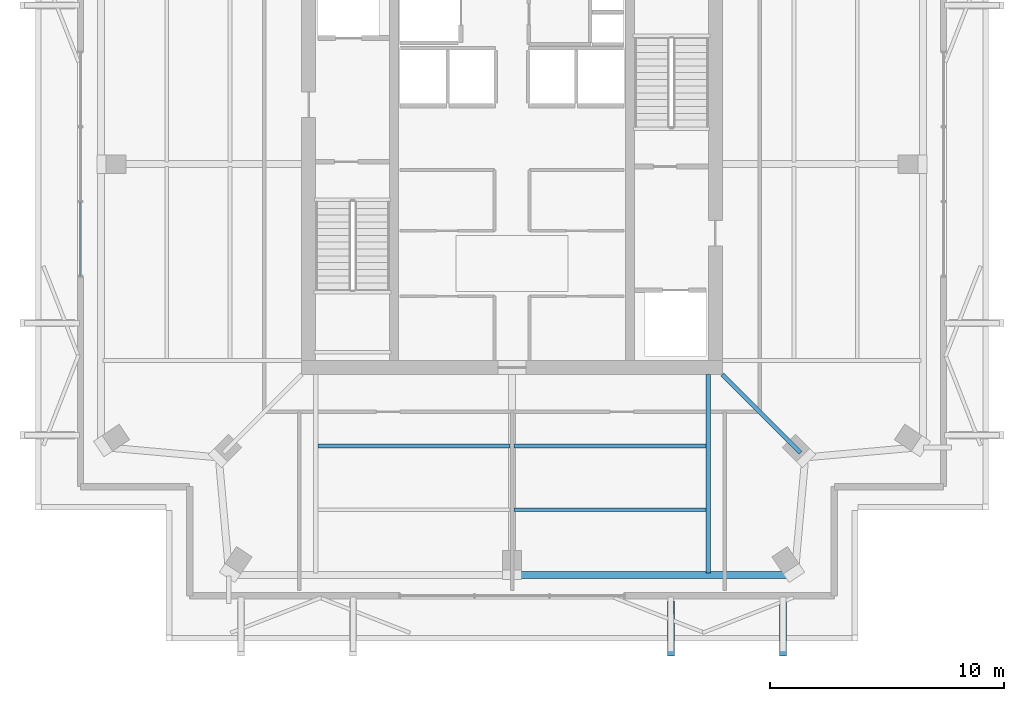
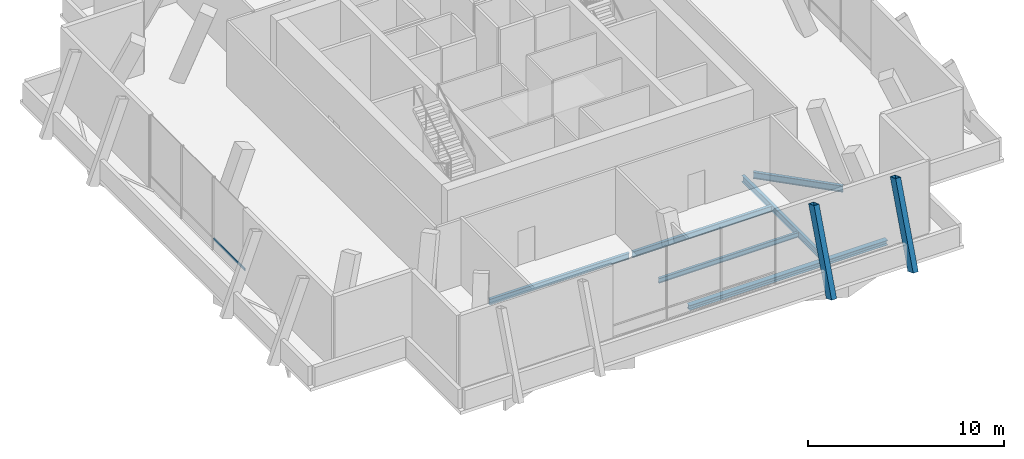
# One storey, part 6 of 18: 6 beams, 3 members, 1 element without a shape of its own.
"""IFC4 building model written with IfcOpenShell, lengths in metres."""

from ifc_helpers import new_model, si_unit, direction, frame, origin, origin_2d, place, context, subcontext, project, spatial, hollow_rectangle, i_section, extrude, material, layer, layer_set, material_profile, profile_set, type_object, element, aggregate, save


model = new_model("IFC4")

# Units and contexts
model_context = context("Model", 3, precision=1e-05, world=origin(), true_north=direction((0.0, 1.0)))
body_context = subcontext(model_context, "Body", "Model", "MODEL_VIEW")
ifc_project = project(units=[si_unit("LENGTHUNIT", "METRE"), si_unit("AREAUNIT", "SQUARE_METRE"), si_unit("VOLUMEUNIT", "CUBIC_METRE"), si_unit("PLANEANGLEUNIT", "RADIAN"), si_unit("MASSUNIT", "GRAM", prefix="KILO")], contexts=[model_context])

# Site, building, storey
site_placement = place(None, origin())
site = spatial("IfcSite", under=ifc_project, at=site_placement, CompositionType="ELEMENT")
building_placement = place(site_placement, origin())
building = spatial("IfcBuilding", under=site, at=building_placement, Name="Belovzor Exchange Tower", CompositionType="ELEMENT")
storey_placement = place(building_placement, frame((0.0, 0.0, 369.0)))
storey = spatial("IfcBuildingStorey", under=building, at=storey_placement, Name="L92", CompositionType="ELEMENT", Elevation=369.0)

# Beams
ifc_material_1 = material(Name="Steel S355", Category="steel")
ifc_material_profile_1 = material_profile(ifc_material_1, i_section(OverallWidth=0.300048828125, OverallDepth=0.300048828125, WebThickness=0.010986328125, FlangeThickness=0.01904296875, at=origin_2d()))
ifc_profile_set_1 = profile_set([ifc_material_profile_1], Name="Steel S355")
beam_type_1 = type_object("IfcBeamType", Name="Crown Plant Primary Beam HEB 300", PredefinedType="BEAM", material=ifc_profile_set_1)
beam_1_placement = place(storey_placement, frame((29.02001953125, 11.219970703125, -0.449951171875), z_axis=(1.0, 0.0, 0.0), x_axis=(0.0, 1.0, 0.0)))
element("IfcBeam", 1, at=beam_1_placement, inside=storey, type_object=beam_type_1, Name="FG-CR Crown Plant Primary Beam HEB 300", PredefinedType="BEAM", context=body_context, shape_type="SweptSolid", body=[
    extrude(i_section(OverallWidth=0.300048828125, OverallDepth=0.300048828125, WebThickness=0.010986328125, FlangeThickness=0.01904296875, at=origin_2d()), origin(), (0.0, 0.0, 1.0), 11.659912109375),
])
ifc_material_2 = material(Name="Steel S355", Category="steel")
ifc_material_profile_2 = material_profile(ifc_material_2, i_section(OverallWidth=0.169921875, OverallDepth=0.360107421875, WebThickness=0.008056640625, FlangeThickness=0.0126953125, at=origin_2d()))
ifc_profile_set_2 = profile_set([ifc_material_profile_2], Name="Steel S355")
beam_type_2 = type_object("IfcBeamType", Name="Secondary Infill Floor Joist IPE 360", PredefinedType="BEAM", material=ifc_profile_set_2)
beam_2_placement = place(storey_placement, frame((20.489990234375, 16.738037109375, -0.47998046875), z_axis=(1.0, 0.0, 0.0), x_axis=(0.0, 1.0, 0.0)))
element("IfcBeam", 2, at=beam_2_placement, inside=storey, type_object=beam_type_2, Name="FJ-360 Secondary Infill Floor Joist IPE 360", PredefinedType="BEAM", context=body_context, shape_type="SweptSolid", body=[
    extrude(i_section(OverallWidth=0.169921875, OverallDepth=0.360107421875, WebThickness=0.008056640625, FlangeThickness=0.0126953125, at=origin_2d()), origin(), (0.0, 0.0, 1.0), 8.219970703125),
])
beam_3_placement = place(storey_placement, frame((28.889892578125, 16.738037109375, -0.47998046875), z_axis=(1.0, 0.0, 0.0), x_axis=(0.0, 1.0, 0.0)))
element("IfcBeam", 3, at=beam_3_placement, inside=storey, type_object=beam_type_2, Name="FJ-360 Secondary Infill Floor Joist IPE 360", PredefinedType="BEAM", context=body_context, shape_type="SweptSolid", body=[
    extrude(i_section(OverallWidth=0.169921875, OverallDepth=0.360107421875, WebThickness=0.008056640625, FlangeThickness=0.0126953125, at=origin_2d()), origin(), (0.0, 0.0, 1.0), 8.22021484375),
])
ifc_material_3 = material(Name="Steel S355", Category="steel")
ifc_material_profile_3 = material_profile(ifc_material_3, i_section(OverallWidth=0.14990234375, OverallDepth=0.300048828125, WebThickness=0.007080078125, FlangeThickness=0.0107421875, at=origin_2d()))
ifc_profile_set_3 = profile_set([ifc_material_profile_3], Name="Steel S355")
beam_type_3 = type_object("IfcBeamType", Name="Secondary Trim Floor Joist IPE 300", PredefinedType="BEAM", material=ifc_profile_set_3)
beam_4_placement = place(storey_placement, frame((28.889892578125, 14.01708984375, -0.449951171875), z_axis=(1.0, 0.0, 0.0), x_axis=(0.0, 1.0, 0.0)))
element("IfcBeam", 4, at=beam_4_placement, inside=storey, type_object=beam_type_3, Name="FJ-300 Secondary Trim Floor Joist IPE 300", PredefinedType="BEAM", context=body_context, shape_type="SweptSolid", body=[
    extrude(i_section(OverallWidth=0.14990234375, OverallDepth=0.300048828125, WebThickness=0.007080078125, FlangeThickness=0.0107421875, at=origin_2d()), origin(), (0.0, 0.0, 1.0), 8.22021484375),
])

# Curtain wall, member
ifc_material_4 = material(Name="Anodised Aluminium Framing", Category="aluminium")
ifc_layer = layer(ifc_material_4, 0.169921875)
ifc_layer_set = layer_set([ifc_layer], Name="Anodised Aluminium Framing")
curtain_wall_type = type_object("IfcCurtainWallType", Name="Stepped Crown Faceted Lantern Curtain Wall", PredefinedType="NOTDEFINED", material=ifc_layer_set)
curtain_wall_placement = place(storey_placement, origin())
curtain_wall = element("IfcCurtainWall", 5, at=curtain_wall_placement, inside=storey, type_object=curtain_wall_type, Name="CW6 Stepped Crown Faceted Lantern Curtain Wall L92", PredefinedType="NOTDEFINED")
ifc_material_5 = material(Name="Steel S355", Category="steel")
ifc_material_profile_4 = material_profile(ifc_material_5, hollow_rectangle(XDim=0.06005859375, YDim=0.14990234375, WallThickness=0.00390625, at=origin_2d()))
ifc_profile_set_4 = profile_set([ifc_material_profile_4], Name="Steel S355")
member_type_1 = type_object("IfcMemberType", Name="Thermally Broken Curtain Wall Transom 150x60", PredefinedType="USERDEFINED", material=ifc_profile_set_4)
member_placement = place(storey_placement, frame((10.330078125, 24.008056640625, 0.64990234375), z_axis=(0.0, 1.0, 0.0), x_axis=(-1.0, 0.0, 0.0)))
member = element("IfcMember", 6, at=member_placement, type_object=member_type_1, Name="CW-T150 Curtain Wall Transom 1", ObjectType="TRANSOM", PredefinedType="USERDEFINED", context=body_context, shape_type="SweptSolid", body=[
    extrude(hollow_rectangle(XDim=0.06005859375, YDim=0.14990234375, WallThickness=0.00390625, at=origin_2d()), origin(), (0.0, 0.0, 1.0), 3.183837890625),
])
aggregate(curtain_wall, [member])

# Members
ifc_material_6 = material(Name="Extruded Architectural Terracotta on Steel S355 Carrier", Category="masonry")
ifc_material_profile_5 = material_profile(ifc_material_6, hollow_rectangle(XDim=0.300048828125, YDim=0.60009765625, WallThickness=0.01611328125, at=origin_2d()))
ifc_profile_set_5 = profile_set([ifc_material_profile_5], Name="Extruded Architectural Terracotta on Steel S355 Carrier")
member_type_2 = type_object("IfcMemberType", Name="Upper Crown Terracotta Fin Assembly 550", PredefinedType="USERDEFINED", material=ifc_profile_set_5)
for number, where, z_axis, x_axis, name in (
    (7, (35.60009765625, 8.02490234375, -0.300048828125), (0.0, 0.351128660605, 0.936327220421), (-1.0, 0.0, 0.0), "FIN-TC055 Terracotta Facade Fin L92 S3"),
    (8, (40.39990234375, 8.02490234375, -0.300048828125), (0.0, 0.351128660605, 0.936327220421), (-1.0, 0.0, 0.0), "FIN-TC055 Terracotta Facade Fin L92 S4"),
):
    element("IfcMember", number, at=place(storey_placement, frame(where, z_axis=z_axis, x_axis=x_axis)), inside=storey, type_object=member_type_2, Name=name, ObjectType="FIN", PredefinedType="USERDEFINED", context=body_context, shape_type="SweptSolid", body=[
        extrude(hollow_rectangle(XDim=0.300048828125, YDim=0.60009765625, WallThickness=0.01611328125, at=origin_2d()), origin(), (0.0, 0.0, 1.0), 5.12646484375),
    ])

# Beams
ifc_material_7 = material(Name="Steel S355", Category="steel")
ifc_material_profile_6 = material_profile(ifc_material_7, i_section(OverallWidth=0.179931640625, OverallDepth=0.39990234375, WebThickness=0.008544921875, FlangeThickness=0.013427734375, at=origin_2d()))
ifc_profile_set_6 = profile_set([ifc_material_profile_6], Name="Steel S355")
beam_type_4 = type_object("IfcBeamType", Name="Zone 5-6 Radial Composite Floor Beam IPE 400", PredefinedType="BEAM", material=ifc_profile_set_6)
beam_5_placement = place(storey_placement, frame((37.199951171875, 19.800048828125, -0.5), z_axis=(0.0, -1.0, 0.0), x_axis=(1.0, 0.0, 0.0)))
element("IfcBeam", 9, at=beam_5_placement, inside=storey, type_object=beam_type_4, Name="FB-400 Zone 5-6 Radial Composite Floor Beam IPE 400", PredefinedType="BEAM", context=body_context, shape_type="SweptSolid", body=[
    extrude(i_section(OverallWidth=0.179931640625, OverallDepth=0.39990234375, WebThickness=0.008544921875, FlangeThickness=0.013427734375, at=origin_2d()), origin(), (0.0, 0.0, 1.0), 8.505126953125),
])
beam_6_placement = place(storey_placement, frame((37.800048828125, 19.800048828125, -0.5), z_axis=(0.707081014337, -0.707132547098, 0.0), x_axis=(0.707132547098, 0.707081014337, 0.0)))
element("IfcBeam", 10, at=beam_6_placement, inside=storey, type_object=beam_type_4, Name="FB-400 Zone 5-6 Radial Composite Floor Beam IPE 400", PredefinedType="BEAM", context=body_context, shape_type="SweptSolid", body=[
    extrude(i_section(OverallWidth=0.179931640625, OverallDepth=0.39990234375, WebThickness=0.008544921875, FlangeThickness=0.013427734375, at=origin_2d()), origin(), (0.0, 0.0, 1.0), 4.737548828125),
])

save(model, "model.ifc")
